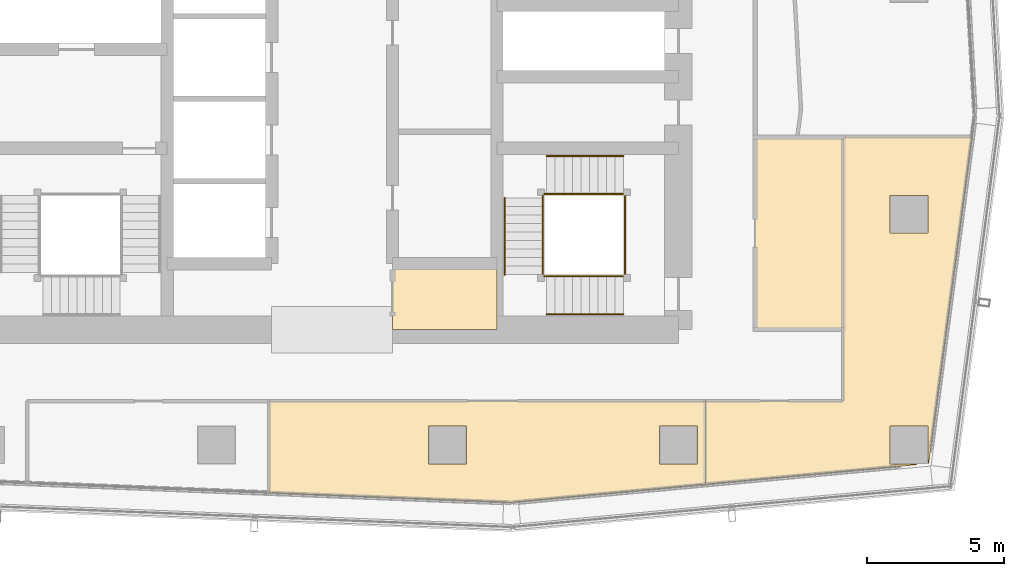
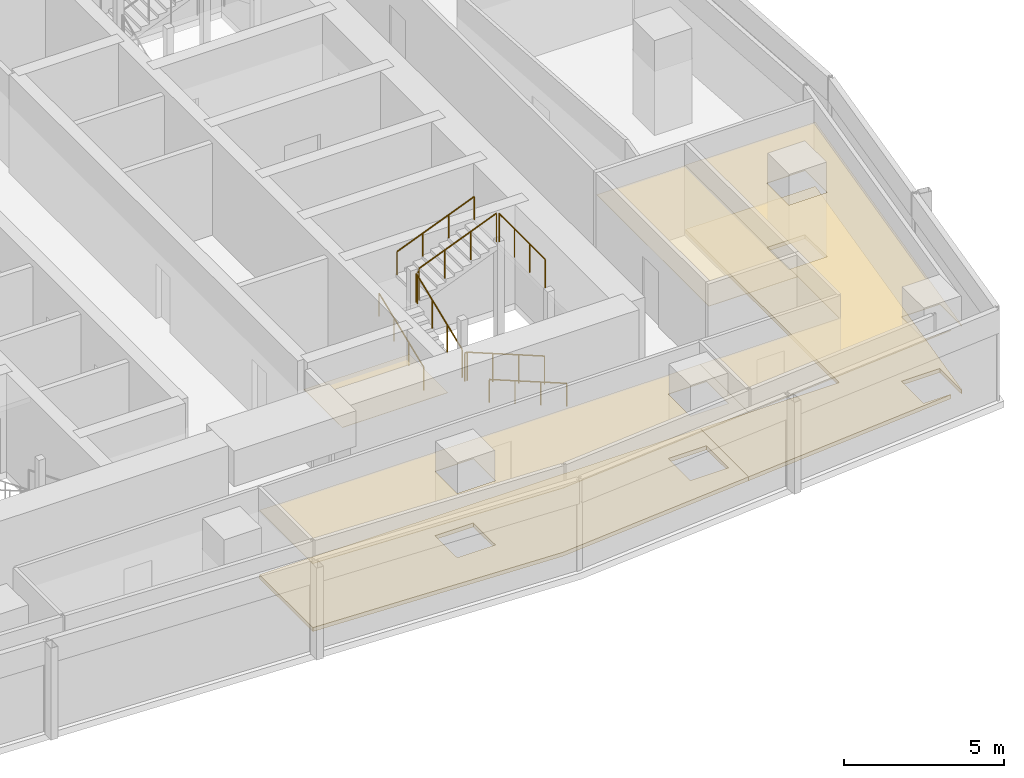
# One storey, part 35 of 39: 10 railings, 6 coverings.
"""IFC4 building model written with IfcOpenShell, lengths in metres."""

from ifc_helpers import new_model, si_unit, direction, frame, origin, origin_2d, place, context, subcontext, project, spatial, polyline, circle, outline, extrude, material, layer, layer_set, type_object, element, save


model = new_model("IFC4")

# Units and contexts
model_context = context("Model", 3, precision=1e-05, world=origin(), true_north=direction((0.0, 1.0)))
body_context = subcontext(model_context, "Body", "Model", "MODEL_VIEW")
ifc_project = project(units=[si_unit("LENGTHUNIT", "METRE"), si_unit("AREAUNIT", "SQUARE_METRE"), si_unit("VOLUMEUNIT", "CUBIC_METRE"), si_unit("PLANEANGLEUNIT", "RADIAN"), si_unit("MASSUNIT", "GRAM", prefix="KILO")], contexts=[model_context])

# Site, building, storey
site_placement = place(None, origin())
site = spatial("IfcSite", under=ifc_project, at=site_placement, CompositionType="ELEMENT")
building_placement = place(site_placement, origin())
building = spatial("IfcBuilding", under=site, at=building_placement, Name="Rekha Terrace Tower", CompositionType="ELEMENT")
storey_placement = place(building_placement, frame((0.0, 0.0, 217.699951171875)))
storey = spatial("IfcBuildingStorey", under=building, at=storey_placement, Name="L55", CompositionType="ELEMENT", Elevation=217.699951171875)

# Coverings
ifc_material_1 = material(Name="Mineral fibre tile in exposed grid", Category="finish")
ifc_layer_1 = layer(ifc_material_1, 0.02001953125)
ifc_layer_set_1 = layer_set([ifc_layer_1], Name="Mineral fibre tile in exposed grid")
covering_type_1 = type_object("IfcCoveringType", Name="CL1 600x1200 office grid ceiling", PredefinedType="CEILING", material=ifc_layer_set_1)
covering_1_placement = place(storey_placement, frame((0.0, 0.0, 2.580078125)))
element("IfcCovering", 1, at=covering_1_placement, inside=storey, type_object=covering_type_1, Name="Ceiling L55-02", PredefinedType="CEILING", context=body_context, shape_type="SweptSolid", body=[
    extrude(outline(polyline([(35.508056640625, 15.06298828125), (44.343994140625, 14.7109375), (44.343994140625, 14.715087890625), (51.383056640625, 15.3701171875), (51.383056640625, 18.39990234375), (35.508056640625, 18.39990234375), (35.508056640625, 15.06298828125)]), holes=[polyline([(51.090087890625, 16.110107421875), (49.7099609375, 16.110107421875), (49.7099609375, 17.489990234375), (51.090087890625, 17.489990234375), (51.090087890625, 16.110107421875)]), polyline([(42.68994140625, 17.489990234375), (42.68994140625, 16.110107421875), (41.31005859375, 16.110107421875), (41.31005859375, 17.489990234375), (42.68994140625, 17.489990234375)])]), origin(), (0.0, 0.0, 1.0), 0.02001953125),
])
covering_2_placement = place(storey_placement, frame((0.0, 0.0, 2.580078125)))
element("IfcCovering", 2, at=covering_2_placement, inside=storey, type_object=covering_type_1, Name="Ceiling L55-03", PredefinedType="CEILING", context=body_context, shape_type="SweptSolid", body=[
    extrude(outline(polyline([(59.489990234375, 16.12890625), (59.510009765625, 16.1279296875), (61.083984375, 28.012939453125), (56.39990234375, 28.012939453125), (56.39990234375, 18.39990234375), (51.383056640625, 18.39990234375), (51.383056640625, 15.3701171875), (59.080078125, 16.0869140625), (59.0791015625, 16.110107421875), (58.110107421875, 16.110107421875), (58.110107421875, 17.489990234375), (59.489990234375, 17.489990234375), (59.489990234375, 16.12890625)]), holes=[polyline([(59.489990234375, 24.510009765625), (58.110107421875, 24.510009765625), (58.110107421875, 25.889892578125), (59.489990234375, 25.889892578125), (59.489990234375, 24.510009765625)])]), origin(), (0.0, 0.0, 1.0), 0.02001953125),
])
ifc_material_2 = material(Name="Fibre cement board", Category="finish")
ifc_layer_2 = layer(ifc_material_2, 0.014892578125)
ifc_layer_set_2 = layer_set([ifc_layer_2], Name="Fibre cement board")
covering_type_2 = type_object("IfcCoveringType", Name="CL2 moisture-resistant board ceiling", PredefinedType="CEILING", material=ifc_layer_set_2)
covering_3_placement = place(storey_placement, frame((0.0, 0.0, 2.5849609375)))
element("IfcCovering", 3, at=covering_3_placement, inside=storey, type_object=covering_type_2, Name="Ceiling L55-WCA", PredefinedType="CEILING", context=body_context, shape_type="SweptSolid", body=[
    extrude(outline(polyline([(43.800048828125, 23.39990234375), (40.0, 23.39990234375), (40.0, 21.0), (43.800048828125, 21.0), (43.800048828125, 23.39990234375)])), origin(), (0.0, 0.0, 1.0), 0.01513671875),
])
covering_4_placement = place(storey_placement, frame((0.0, 0.0, 2.5849609375)))
element("IfcCovering", 4, at=covering_4_placement, inside=storey, type_object=covering_type_2, Name="Ceiling L55-WCM2", PredefinedType="CEILING", context=body_context, shape_type="SweptSolid", body=[
    extrude(outline(polyline([(56.39990234375, 28.0), (53.199951171875, 28.0), (53.199951171875, 21.0), (56.39990234375, 21.0), (56.39990234375, 28.0)])), origin(), (0.0, 0.0, 1.0), 0.01513671875),
])

# Railings
ifc_material_3 = material(Name="Stainless steel balustrade", Category="steel")
railing_type_1 = type_object("IfcRailingType", Name="GR1 1100 stair guard", PredefinedType="GUARDRAIL", material=ifc_material_3)
railing_1_placement = place(storey_placement, frame((48.39990234375, 22.93994140625, 0.125)))
element("IfcRailing", 5, at=railing_1_placement, inside=storey, type_object=railing_type_1, Name="Guard ST3 L55 flight 1", PredefinedType="GUARDRAIL", context=body_context, shape_type="SweptSolid", body=[
    extrude(circle(Radius=0.02392578125, at=origin_2d()), frame((0.0, 0.0, 1.076171875), z_axis=(-0.927431937212, 0.0, 0.373991980981), x_axis=(0.0, -1.0, 0.0)), (0.0, 0.0, 1.0), 3.008056640625),
    extrude(circle(Radius=0.02099609375, at=origin_2d()), origin(), (0.0, 0.0, 1.0), 1.052001953125),
    extrude(circle(Radius=0.02099609375, at=origin_2d()), frame((-0.929931640625, 0.0, 0.375)), (0.0, 0.0, 1.0), 1.052001953125),
    extrude(circle(Radius=0.02099609375, at=origin_2d()), frame((-1.85986328125, 0.0, 0.75)), (0.0, 0.0, 1.0), 1.052001953125),
    extrude(circle(Radius=0.02099609375, at=origin_2d()), frame((-2.789794921875, 0.0, 1.125)), (0.0, 0.0, 1.0), 1.052001953125),
])
railing_2_placement = place(storey_placement, frame((45.465087890625, 23.0, 1.375)))
element("IfcRailing", 6, at=railing_2_placement, inside=storey, type_object=railing_type_1, Name="Guard ST3 L55 flight 2", PredefinedType="GUARDRAIL", context=body_context, shape_type="SweptSolid", body=[
    extrude(circle(Radius=0.02392578125, at=origin_2d()), frame((0.0, 0.0, 1.076171875), z_axis=(0.0, 0.927443287984, 0.373963831907), x_axis=(-1.0, 0.0, 0.0)), (0.0, 0.0, 1.0), 3.00830078125),
    extrude(circle(Radius=0.02099609375, at=origin_2d()), origin(), (0.0, 0.0, 1.0), 1.052001953125),
    extrude(circle(Radius=0.02099609375, at=origin_2d()), frame((0.0, 0.929931640625, 0.375)), (0.0, 0.0, 1.0), 1.052001953125),
    extrude(circle(Radius=0.02099609375, at=origin_2d()), frame((0.0, 1.860107421875, 0.75)), (0.0, 0.0, 1.0), 1.052001953125),
    extrude(circle(Radius=0.02099609375, at=origin_2d()), frame((0.0, 2.7900390625, 1.125)), (0.0, 0.0, 1.0), 1.052001953125),
])
railing_3_placement = place(storey_placement, frame((45.610107421875, 25.93505859375, 2.625)))
element("IfcRailing", 7, at=railing_3_placement, inside=storey, type_object=railing_type_1, Name="Guard ST3 L55 flight 3", PredefinedType="GUARDRAIL", context=body_context, shape_type="SweptSolid", body=[
    extrude(circle(Radius=0.02392578125, at=origin_2d()), frame((0.0, 0.0, 1.076171875), z_axis=(0.927431937212, 0.0, 0.373991980981), x_axis=(0.0, 1.0, 0.0)), (0.0, 0.0, 1.0), 3.008056640625),
    extrude(circle(Radius=0.02099609375, at=origin_2d()), origin(), (0.0, 0.0, 1.0), 1.052001953125),
    extrude(circle(Radius=0.02099609375, at=origin_2d()), frame((0.929931640625, 0.0, 0.375)), (0.0, 0.0, 1.0), 1.052001953125),
    extrude(circle(Radius=0.02099609375, at=origin_2d()), frame((1.85986328125, 0.0, 0.75)), (0.0, 0.0, 1.0), 1.052001953125),
    extrude(circle(Radius=0.02099609375, at=origin_2d()), frame((2.789794921875, 0.0, 1.125)), (0.0, 0.0, 1.0), 1.052001953125),
])
railing_4_placement = place(storey_placement, frame((45.610107421875, 22.93994140625, 1.25)))
element("IfcRailing", 8, at=railing_4_placement, inside=storey, type_object=railing_type_1, Name="Guard ST3 L55 landing 1", PredefinedType="GUARDRAIL", context=body_context, shape_type="SweptSolid", body=[
    extrude(circle(Radius=0.02392578125, at=origin_2d()), frame((0.0, 0.0, 1.076171875), z_axis=(-1.0, 0.0, 0.0), x_axis=(0.0, -1.0, 0.0)), (0.0, 0.0, 1.0), 0.085205078125),
    extrude(circle(Radius=0.02099609375, at=origin_2d()), origin(), (0.0, 0.0, 1.0), 1.052001953125),
    extrude(circle(Radius=0.02099609375, at=origin_2d()), frame((-0.085205078125, 0.0, 0.0)), (0.0, 0.0, 1.0), 1.052001953125),
])
railing_5_placement = place(storey_placement, frame((45.465087890625, 25.7900390625, 2.5)))
element("IfcRailing", 9, at=railing_5_placement, inside=storey, type_object=railing_type_1, Name="Guard ST3 L55 landing 2", PredefinedType="GUARDRAIL", context=body_context, shape_type="SweptSolid", body=[
    extrude(circle(Radius=0.02392578125, at=origin_2d()), frame((0.0, 0.0, 1.076171875), z_axis=(0.0, 1.0, 0.0), x_axis=(-1.0, 0.0, 0.0)), (0.0, 0.0, 1.0), 0.0849609375),
    extrude(circle(Radius=0.02099609375, at=origin_2d()), origin(), (0.0, 0.0, 1.0), 1.052001953125),
    extrude(circle(Radius=0.02099609375, at=origin_2d()), frame((0.0, 0.0849609375, 0.0)), (0.0, 0.0, 1.0), 1.052001953125),
])
railing_6_placement = place(storey_placement, frame((45.610107421875, 25.93505859375, 2.5)))
element("IfcRailing", 10, at=railing_6_placement, inside=storey, type_object=railing_type_1, Name="Guard ST3 L55 landing 3", PredefinedType="GUARDRAIL", context=body_context, shape_type="SweptSolid", body=[
    extrude(circle(Radius=0.02392578125, at=origin_2d()), frame((0.0, 0.0, 1.076171875), z_axis=(-1.0, 0.0, 0.0), x_axis=(0.0, -1.0, 0.0)), (0.0, 0.0, 1.0), 0.085205078125),
    extrude(circle(Radius=0.02099609375, at=origin_2d()), origin(), (0.0, 0.0, 1.0), 1.052001953125),
    extrude(circle(Radius=0.02099609375, at=origin_2d()), frame((-0.085205078125, 0.0, 0.0)), (0.0, 0.0, 1.0), 1.052001953125),
])
railing_7_placement = place(storey_placement, frame((48.4599609375, 23.0, 3.75)))
element("IfcRailing", 11, at=railing_7_placement, inside=storey, type_object=railing_type_1, Name="Guard ST3 L55 landing 4", PredefinedType="GUARDRAIL", context=body_context, shape_type="SweptSolid", body=[
    extrude(circle(Radius=0.02392578125, at=origin_2d()), frame((0.0, 0.0, 1.076171875), z_axis=(0.0, 1.0, 0.0), x_axis=(-1.0, 0.0, 0.0)), (0.0, 0.0, 1.0), 2.875),
    extrude(circle(Radius=0.02099609375, at=origin_2d()), origin(), (0.0, 0.0, 1.0), 1.052001953125),
    extrude(circle(Radius=0.02099609375, at=origin_2d()), frame((0.0, 0.958251953125, 0.0)), (0.0, 0.0, 1.0), 1.052001953125),
    extrude(circle(Radius=0.02099609375, at=origin_2d()), frame((0.0, 1.916748046875, 0.0)), (0.0, 0.0, 1.0), 1.052001953125),
    extrude(circle(Radius=0.02099609375, at=origin_2d()), frame((0.0, 2.875, 0.0)), (0.0, 0.0, 1.0), 1.052001953125),
])
ifc_material_4 = material(Name="Stainless steel tube", Category="steel")
railing_type_2 = type_object("IfcRailingType", Name="HR1 900 stair handrail", PredefinedType="HANDRAIL", material=ifc_material_4)
railing_8_placement = place(storey_placement, frame((48.39990234375, 21.56005859375, 0.125)))
element("IfcRailing", 12, at=railing_8_placement, inside=storey, type_object=railing_type_2, Name="Handrail ST3 L55 flight 1", PredefinedType="HANDRAIL", context=body_context, shape_type="SweptSolid", body=[
    extrude(circle(Radius=0.02392578125, at=origin_2d()), frame((0.0, 0.0, 0.8759765625), z_axis=(-0.927431937212, 0.0, 0.373991980981), x_axis=(0.0, -1.0, 0.0)), (0.0, 0.0, 1.0), 3.008056640625),
    extrude(circle(Radius=0.02099609375, at=origin_2d()), origin(), (0.0, 0.0, 1.0), 0.851806640625),
    extrude(circle(Radius=0.02099609375, at=origin_2d()), frame((-0.929931640625, 0.0, 0.375)), (0.0, 0.0, 1.0), 0.851806640625),
    extrude(circle(Radius=0.02099609375, at=origin_2d()), frame((-1.85986328125, 0.0, 0.75)), (0.0, 0.0, 1.0), 0.851806640625),
    extrude(circle(Radius=0.02099609375, at=origin_2d()), frame((-2.789794921875, 0.0, 1.125)), (0.0, 0.0, 1.0), 0.851806640625),
])
railing_9_placement = place(storey_placement, frame((44.0849609375, 23.0, 1.375)))
element("IfcRailing", 13, at=railing_9_placement, inside=storey, type_object=railing_type_2, Name="Handrail ST3 L55 flight 2", PredefinedType="HANDRAIL", context=body_context, shape_type="SweptSolid", body=[
    extrude(circle(Radius=0.02392578125, at=origin_2d()), frame((0.0, 0.0, 0.8759765625), z_axis=(0.0, 0.927443287984, 0.373963831907), x_axis=(-1.0, 0.0, 0.0)), (0.0, 0.0, 1.0), 3.00830078125),
    extrude(circle(Radius=0.02099609375, at=origin_2d()), origin(), (0.0, 0.0, 1.0), 0.851806640625),
    extrude(circle(Radius=0.02099609375, at=origin_2d()), frame((0.0, 0.929931640625, 0.375)), (0.0, 0.0, 1.0), 0.851806640625),
    extrude(circle(Radius=0.02099609375, at=origin_2d()), frame((0.0, 1.860107421875, 0.75)), (0.0, 0.0, 1.0), 0.851806640625),
    extrude(circle(Radius=0.02099609375, at=origin_2d()), frame((0.0, 2.7900390625, 1.125)), (0.0, 0.0, 1.0), 0.851806640625),
])
railing_10_placement = place(storey_placement, frame((45.610107421875, 27.31494140625, 2.625)))
element("IfcRailing", 14, at=railing_10_placement, inside=storey, type_object=railing_type_2, Name="Handrail ST3 L55 flight 3", PredefinedType="HANDRAIL", context=body_context, shape_type="SweptSolid", body=[
    extrude(circle(Radius=0.02392578125, at=origin_2d()), frame((0.0, 0.0, 0.8759765625), z_axis=(0.927431937212, 0.0, 0.373991980981), x_axis=(0.0, 1.0, 0.0)), (0.0, 0.0, 1.0), 3.008056640625),
    extrude(circle(Radius=0.02099609375, at=origin_2d()), origin(), (0.0, 0.0, 1.0), 0.851806640625),
    extrude(circle(Radius=0.02099609375, at=origin_2d()), frame((0.929931640625, 0.0, 0.375)), (0.0, 0.0, 1.0), 0.851806640625),
    extrude(circle(Radius=0.02099609375, at=origin_2d()), frame((1.85986328125, 0.0, 0.75)), (0.0, 0.0, 1.0), 0.851806640625),
    extrude(circle(Radius=0.02099609375, at=origin_2d()), frame((2.789794921875, 0.0, 1.125)), (0.0, 0.0, 1.0), 0.851806640625),
])

# Coverings
ifc_material_5 = material(Name="Calcium sulphate panels on steel pedestals", Category="steel")
ifc_layer_3 = layer(ifc_material_5, 0.14990234375)
ifc_layer_set_3 = layer_set([ifc_layer_3], Name="Calcium sulphate panels on steel pedestals")
covering_type_3 = type_object("IfcCoveringType", Name="RF1 150 raised access floor", PredefinedType="FLOORING", material=ifc_layer_set_3)
covering_5_placement = place(storey_placement, origin())
element("IfcCovering", 15, at=covering_5_placement, inside=storey, type_object=covering_type_3, Name="Raised floor L55-02", PredefinedType="FLOORING", context=body_context, shape_type="SweptSolid", body=[
    extrude(outline(polyline([(35.508056640625, 15.06298828125), (44.343994140625, 14.7109375), (44.343994140625, 14.715087890625), (51.383056640625, 15.3701171875), (51.383056640625, 18.39990234375), (35.508056640625, 18.39990234375), (35.508056640625, 15.06298828125)]), holes=[polyline([(51.090087890625, 16.110107421875), (49.7099609375, 16.110107421875), (49.7099609375, 17.489990234375), (51.090087890625, 17.489990234375), (51.090087890625, 16.110107421875)]), polyline([(42.68994140625, 17.489990234375), (42.68994140625, 16.110107421875), (41.31005859375, 16.110107421875), (41.31005859375, 17.489990234375), (42.68994140625, 17.489990234375)])]), origin(), (0.0, 0.0, 1.0), 0.150146484375),
])
covering_6_placement = place(storey_placement, origin())
element("IfcCovering", 16, at=covering_6_placement, inside=storey, type_object=covering_type_3, Name="Raised floor L55-03", PredefinedType="FLOORING", context=body_context, shape_type="SweptSolid", body=[
    extrude(outline(polyline([(59.489990234375, 16.12890625), (59.510009765625, 16.1279296875), (61.083984375, 28.012939453125), (56.39990234375, 28.012939453125), (56.39990234375, 18.39990234375), (51.383056640625, 18.39990234375), (51.383056640625, 15.3701171875), (59.080078125, 16.0869140625), (59.0791015625, 16.110107421875), (58.110107421875, 16.110107421875), (58.110107421875, 17.489990234375), (59.489990234375, 17.489990234375), (59.489990234375, 16.12890625)]), holes=[polyline([(59.489990234375, 24.510009765625), (58.110107421875, 24.510009765625), (58.110107421875, 25.889892578125), (59.489990234375, 25.889892578125), (59.489990234375, 24.510009765625)])]), origin(), (0.0, 0.0, 1.0), 0.150146484375),
])

save(model, "model.ifc")
